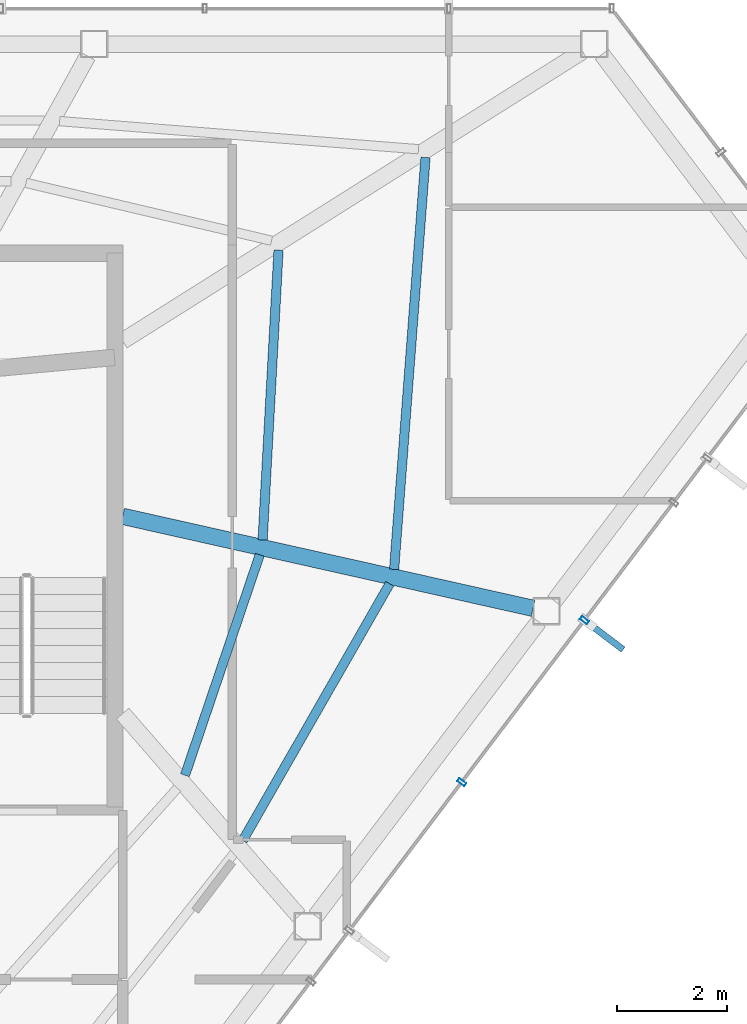
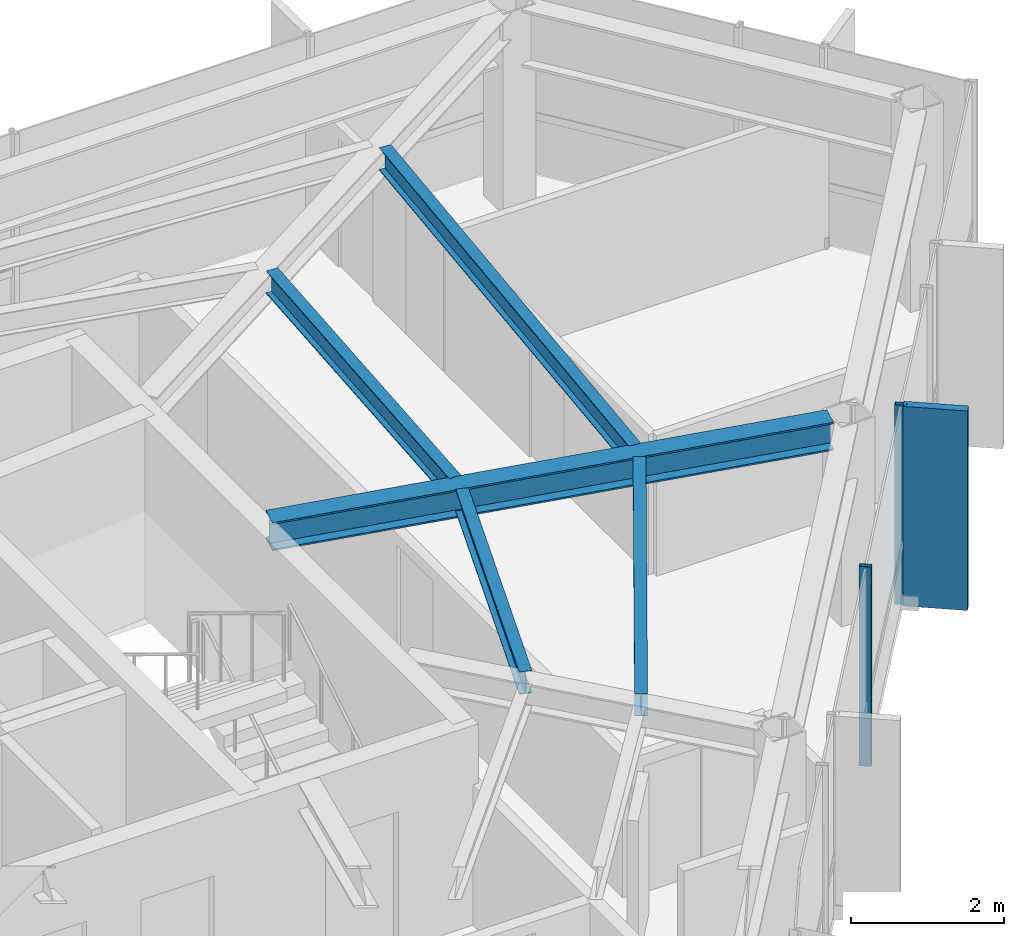
# One storey, part 17 of 26: 5 beams, 3 members, 1 element without a shape of its own.
"""IFC4 building model written with IfcOpenShell, lengths in metres."""

from ifc_helpers import new_model, si_unit, direction, frame, origin, origin_2d, place, context, subcontext, project, spatial, rectangle, hollow_rectangle, i_section, extrude, material, layer, layer_set, material_profile, profile_set, type_object, element, aggregate, save


model = new_model("IFC4")

# Units and contexts
model_context = context("Model", 3, precision=1e-05, world=origin(), true_north=direction((0.0, 1.0)))
body_context = subcontext(model_context, "Body", "Model", "MODEL_VIEW")
ifc_project = project(units=[si_unit("LENGTHUNIT", "METRE"), si_unit("AREAUNIT", "SQUARE_METRE"), si_unit("VOLUMEUNIT", "CUBIC_METRE"), si_unit("PLANEANGLEUNIT", "RADIAN"), si_unit("MASSUNIT", "GRAM", prefix="KILO")], contexts=[model_context])

# Site, building, storey
site_placement = place(None, origin())
site = spatial("IfcSite", under=ifc_project, at=site_placement, CompositionType="ELEMENT")
building_placement = place(site_placement, origin())
building = spatial("IfcBuilding", under=site, at=building_placement, Name="Zarrinselat Tower", CompositionType="ELEMENT")
storey_placement = place(building_placement, frame((0.0, 0.0, 258.39990234375)))
storey = spatial("IfcBuildingStorey", under=building, at=storey_placement, Name="L65", CompositionType="ELEMENT", Elevation=258.39990234375)

# Beams
ifc_material_1 = material(Name="Steel S355J2", Category="steel")
ifc_material_profile_1 = material_profile(ifc_material_1, i_section(OverallWidth=0.300048828125, OverallDepth=0.449951171875, WebThickness=0.013916015625, FlangeThickness=0.02587890625, at=origin_2d()), Name="HEB 450")
ifc_profile_set_1 = profile_set([ifc_material_profile_1], Name="Steel S355J2")
beam_type_1 = type_object("IfcBeamType", Name="BM-HEB450", PredefinedType="BEAM", material=ifc_profile_set_1)
beam_1_placement = place(storey_placement, frame((48.35009765625, 38.60009765625, 2.955078125), z_axis=(0.97576451848, -0.218823226544, 0.0), x_axis=(0.218823226544, 0.97576451848, 0.0)))
element("IfcBeam", 1, at=beam_1_placement, inside=storey, type_object=beam_type_1, Name="L65 Radial Primary Girder RG14", PredefinedType="BEAM", context=body_context, shape_type="SweptSolid", body=[
    extrude(i_section(OverallWidth=0.300048828125, OverallDepth=0.449951171875, WebThickness=0.013916015625, FlangeThickness=0.02587890625, at=origin_2d()), origin(), (0.0, 0.0, 1.0), 7.673828125),
])
ifc_material_2 = material(Name="Steel S355J2", Category="steel")
ifc_material_profile_2 = material_profile(ifc_material_2, i_section(OverallWidth=0.169921875, OverallDepth=0.360107421875, WebThickness=0.008056640625, FlangeThickness=0.0126953125, at=origin_2d()), Name="IPE 360")
ifc_profile_set_2 = profile_set([ifc_material_profile_2], Name="Steel S355J2")
beam_type_2 = type_object("IfcBeamType", Name="BM-IPE360", PredefinedType="JOIST", material=ifc_profile_set_2)
beam_2_placement = place(storey_placement, frame((50.54052734375, 32.6845703125, 3.0), z_axis=(0.496757302364, 0.867889499042, 0.0), x_axis=(-0.867889499042, 0.496757302364, 0.0)))
element("IfcBeam", 2, at=beam_2_placement, inside=storey, type_object=beam_type_2, Name="L65 Composite Floor Joist 4-1", PredefinedType="JOIST", context=body_context, shape_type="SweptSolid", body=[
    extrude(i_section(OverallWidth=0.169921875, OverallDepth=0.360107421875, WebThickness=0.008056640625, FlangeThickness=0.0126953125, at=origin_2d()), origin(), (0.0, 0.0, 1.0), 5.398681640625),
])
beam_3_placement = place(storey_placement, frame((49.487548828125, 33.877197265625, 3.0), z_axis=(0.321210675183, 0.947007762454, 0.0), x_axis=(-0.947007762454, 0.321210675183, 0.0)))
element("IfcBeam", 3, at=beam_3_placement, inside=storey, type_object=beam_type_2, Name="L65 Composite Floor Joist 4-2", PredefinedType="JOIST", context=body_context, shape_type="SweptSolid", body=[
    extrude(i_section(OverallWidth=0.169921875, OverallDepth=0.360107421875, WebThickness=0.008056640625, FlangeThickness=0.0126953125, at=origin_2d()), origin(), (0.0, 0.0, 1.0), 4.244140625),
])
beam_4_placement = place(storey_placement, frame((53.302734375, 37.63134765625, 3.0), z_axis=(0.076022739161, 0.997106084191, 0.0), x_axis=(-0.997106084191, 0.076022739161, 0.0)))
element("IfcBeam", 4, at=beam_4_placement, inside=storey, type_object=beam_type_2, Name="L65 Composite Floor Joist 5-1", PredefinedType="JOIST", context=body_context, shape_type="SweptSolid", body=[
    extrude(i_section(OverallWidth=0.169921875, OverallDepth=0.360107421875, WebThickness=0.008056640625, FlangeThickness=0.0126953125, at=origin_2d()), origin(), (0.0, 0.0, 1.0), 7.537109375),
])
beam_5_placement = place(storey_placement, frame((50.903564453125, 38.1689453125, 3.0), z_axis=(0.054910795382, 0.998491264133, 0.0), x_axis=(-0.998491264133, 0.054910795382, 0.0)))
element("IfcBeam", 5, at=beam_5_placement, inside=storey, type_object=beam_type_2, Name="L65 Composite Floor Joist 5-2", PredefinedType="JOIST", context=body_context, shape_type="SweptSolid", body=[
    extrude(i_section(OverallWidth=0.169921875, OverallDepth=0.360107421875, WebThickness=0.008056640625, FlangeThickness=0.0126953125, at=origin_2d()), origin(), (0.0, 0.0, 1.0), 5.29541015625),
])

# Curtain wall, members
ifc_material_3 = material(Name="Extruded Aluminium Alloy EN AW-6063 T6", Category="aluminium")
ifc_layer = layer(ifc_material_3, 0.169921875)
ifc_layer_set = layer_set([ifc_layer], Name="Extruded Aluminium Alloy EN AW-6063 T6")
curtain_wall_type = type_object("IfcCurtainWallType", Name="CWS-RES", PredefinedType="NOTDEFINED", material=ifc_layer_set)
curtain_wall_placement = place(storey_placement, origin())
curtain_wall = element("IfcCurtainWall", 6, at=curtain_wall_placement, inside=storey, type_object=curtain_wall_type, Name="L65 Unitised Curtain Wall CW-L65-E05", PredefinedType="NOTDEFINED")
ifc_material_4 = material(Name="Extruded Aluminium Alloy EN AW-6063 T6", Category="aluminium")
ifc_material_profile_3 = material_profile(ifc_material_4, hollow_rectangle(XDim=0.070068359375, YDim=0.159912109375, WallThickness=0.00390625, at=origin_2d()), Name="RHS 160x70x4")
ifc_profile_set_3 = profile_set([ifc_material_profile_3], Name="Extruded Aluminium Alloy EN AW-6063 T6")
member_type_1 = type_object("IfcMemberType", Name="MEM-CW-MUL2", PredefinedType="MULLION", material=ifc_profile_set_3)
member_1_placement = place(storey_placement, frame((54.537353515625, 33.747802734375, 0.0), z_axis=(0.0, 0.0, 1.0), x_axis=(0.603859570382, 0.7970907221, 0.0)))
member_1 = element("IfcMember", 7, at=member_1_placement, type_object=member_type_1, Name="CW-L65-E05 Mullion 6", PredefinedType="MULLION", context=body_context, shape_type="SweptSolid", body=[
    extrude(hollow_rectangle(XDim=0.070068359375, YDim=0.159912109375, WallThickness=0.00390625, at=origin_2d()), origin(), (0.0, 0.0, 1.0), 3.18017578125),
])
member_2_placement = place(storey_placement, frame((56.776123046875, 36.703125, 0.0), z_axis=(0.0, 0.0, 1.0), x_axis=(0.603859570382, 0.7970907221, 0.0)))
member_2 = element("IfcMember", 8, at=member_2_placement, type_object=member_type_1, Name="CW-L65-E05 Mullion 7", PredefinedType="MULLION", context=body_context, shape_type="SweptSolid", body=[
    extrude(hollow_rectangle(XDim=0.070068359375, YDim=0.159912109375, WallThickness=0.00390625, at=origin_2d()), origin(), (0.0, 0.0, 1.0), 3.18017578125),
])
ifc_material_5 = material(Name="Honed Cream Travertine Stone", Category="masonry")
ifc_material_profile_4 = material_profile(ifc_material_5, rectangle(XDim=0.1201171875, YDim=0.85009765625, at=origin_2d()), Name="FIN 850x120")
ifc_profile_set_4 = profile_set([ifc_material_profile_4], Name="Honed Cream Travertine Stone")
member_type_2 = type_object("IfcMemberType", Name="MEM-STONE-FIN", PredefinedType="USERDEFINED", material=ifc_profile_set_4)
member_3_placement = place(storey_placement, frame((57.142822265625, 36.42529296875, 0.0), z_axis=(0.0, 0.0, 1.0), x_axis=(-0.603859570382, -0.7970907221, 0.0)))
member_3 = element("IfcMember", 9, at=member_3_placement, type_object=member_type_2, Name="L65 Stone Shading Fin CW-L65-E05-07", ObjectType="FIN", PredefinedType="USERDEFINED", context=body_context, shape_type="SweptSolid", body=[
    extrude(rectangle(XDim=0.1201171875, YDim=0.85009765625, at=origin_2d()), origin(), (0.0, 0.0, 1.0), 3.18017578125),
])
aggregate(curtain_wall, [member_1, member_2, member_3])

save(model, "model.ifc")
